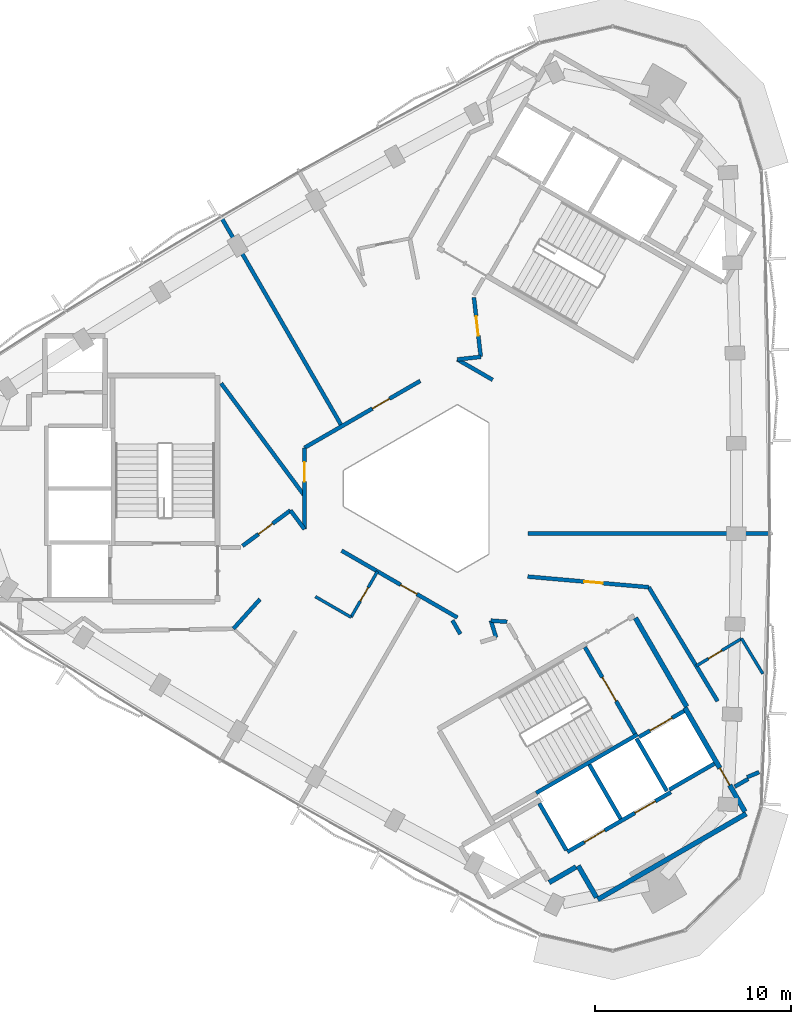
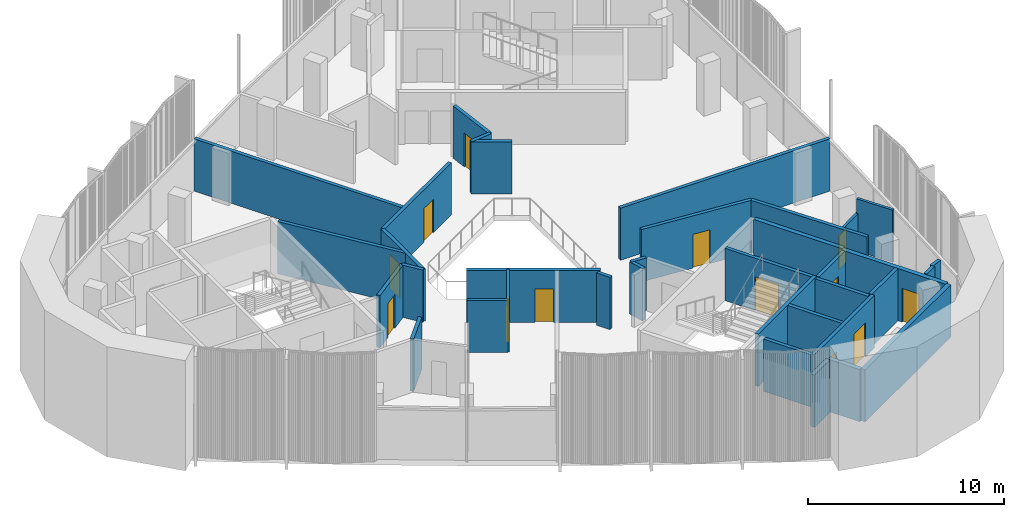
# One storey, part 7 of 13: 36 walls, 13 doors, 13 openings.
"""IFC4 building model written with IfcOpenShell, lengths in metres."""

from ifc_helpers import new_model, si_unit, direction, frame, frame_2d, origin, place, context, subcontext, project, spatial, rectangle, extrude, material, layer, layer_set, type_object, element, fill, save


model = new_model("IFC4")

# Units and contexts
model_context = context("Model", 3, precision=1e-05, world=origin(), true_north=direction((0.0, 1.0)))
body_context = subcontext(model_context, "Body", "Model", "MODEL_VIEW")
ifc_project = project(units=[si_unit("LENGTHUNIT", "METRE"), si_unit("AREAUNIT", "SQUARE_METRE"), si_unit("VOLUMEUNIT", "CUBIC_METRE"), si_unit("PLANEANGLEUNIT", "RADIAN"), si_unit("MASSUNIT", "GRAM", prefix="KILO")], contexts=[model_context])

# Site, building, storey
site_placement = place(None, origin())
site = spatial("IfcSite", under=ifc_project, at=site_placement, CompositionType="ELEMENT")
building_placement = place(site_placement, origin())
building = spatial("IfcBuilding", under=site, at=building_placement, Name="Tamra Quay Hotel Tower", CompositionType="ELEMENT")
storey_placement = place(building_placement, frame((0.0, 0.0, 291.0)))
storey = spatial("IfcBuildingStorey", under=building, at=storey_placement, Name="L73", CompositionType="ELEMENT", Elevation=291.0)

# Wall
ifc_material_1 = material(Name="Concrete M70", Category="concrete")
ifc_layer_1 = layer(ifc_material_1, 0.199951171875)
ifc_layer_set_1 = layer_set([ifc_layer_1], Name="Concrete M70 core wall 200")
wall_type_1 = type_object("IfcWallType", Name="Concrete M70 core wall 200", PredefinedType="SHEAR", material=ifc_layer_set_1)
wall_1_placement = place(storey_placement, frame((5.4189453125, -15.533935546875, 0.0), z_axis=(0.0, 0.0, 1.0), x_axis=(0.866029065029, 0.499993658486, 0.0)))
element("IfcWall", 1, at=wall_1_placement, inside=storey, type_object=wall_type_1, Name="CW2", PredefinedType="SHEAR", context=body_context, shape_type="SweptSolid", body=[
    extrude(rectangle(XDim=5.97412109375, YDim=0.199951171875, at=frame_2d((2.987060546875, 0.0))), origin(), (0.0, 0.0, 1.0), 3.25),
])

# Wall, openings, doors
wall_2_placement = place(storey_placement, frame((7.009765625, -18.54150390625, 0.0), z_axis=(0.0, 0.0, 1.0), x_axis=(0.866030299012, 0.499991521122, 0.0)))
wall_2 = element("IfcWall", 2, at=wall_2_placement, inside=storey, type_object=wall_type_1, Name="CW2", PredefinedType="SHEAR", context=body_context, shape_type="SweptSolid", body=[
    extrude(rectangle(XDim=6.10009765625, YDim=0.199951171875, at=frame_2d((3.050048828125, 0.0))), origin(), (0.0, 0.0, 1.0), 3.25),
])
opening_1_placement = place(wall_2_placement, frame((1.0, 0.0, 0.0)))
opening_1 = element("IfcOpeningElement", 3, at=opening_1_placement, cuts=wall_2, Name="Opening LD", PredefinedType="OPENING", context=body_context, shape_type="SweptSolid", body=[
    extrude(rectangle(XDim=1.199951171875, YDim=2.10009765625, at=frame_2d((0.60009765625, 1.050048828125))), frame((0.0, 0.10986328125, 0.0), z_axis=(0.0, -1.0, 0.0), x_axis=(1.0, 0.0, 0.0)), (0.0, 0.0, 1.0), 0.219970703125),
])
opening_2_placement = place(wall_2_placement, frame((3.982177734375, 0.0, 0.0)))
opening_2 = element("IfcOpeningElement", 4, at=opening_2_placement, cuts=wall_2, Name="Opening LD", PredefinedType="OPENING", context=body_context, shape_type="SweptSolid", body=[
    extrude(rectangle(XDim=1.199951171875, YDim=2.10009765625, at=frame_2d((0.60009765625, 1.050048828125))), frame((0.0, 0.10986328125, 0.0), z_axis=(0.0, -1.0, 0.0), x_axis=(1.0, 0.0, 0.0)), (0.0, 0.0, 1.0), 0.219970703125),
])
ifc_material_2 = material(Name="Landing door LD 1200 double door sliding")
door_type_1 = type_object("IfcDoorType", Name="Landing door LD 1200 double door sliding", OperationType="DOUBLE_DOOR_SLIDING", PredefinedType="DOOR", material=ifc_material_2)
door_1_placement = place(opening_1_placement, origin())
door_1 = element("IfcDoor", 5, at=door_1_placement, inside=storey, type_object=door_type_1, Name="LD", OperationType="DOUBLE_DOOR_SLIDING", OverallHeight=2.10009765625, OverallWidth=1.199951171875, PredefinedType="DOOR", context=body_context, shape_type="SweptSolid", body=[
    extrude(rectangle(XDim=1.199951171875, YDim=2.10009765625, at=frame_2d((0.60009765625, 1.050048828125))), frame((0.0, 0.02490234375, 0.0), z_axis=(0.0, -1.0, 0.0), x_axis=(1.0, 0.0, 0.0)), (0.0, 0.0, 1.0), 0.050048828125),
])
fill(opening_1, door_1)
door_2_placement = place(opening_2_placement, origin())
door_2 = element("IfcDoor", 6, at=door_2_placement, inside=storey, type_object=door_type_1, Name="LD", OperationType="DOUBLE_DOOR_SLIDING", OverallHeight=2.10009765625, OverallWidth=1.199951171875, PredefinedType="DOOR", context=body_context, shape_type="SweptSolid", body=[
    extrude(rectangle(XDim=1.199951171875, YDim=2.10009765625, at=frame_2d((0.60009765625, 1.050048828125))), frame((0.0, 0.02490234375, 0.0), z_axis=(0.0, -1.0, 0.0), x_axis=(1.0, 0.0, 0.0)), (0.0, 0.0, 1.0), 0.050048828125),
])
fill(opening_2, door_2)

# Wall, opening, door
wall_3_placement = place(storey_placement, frame((7.906494140625, -8.094482421875, 0.0), z_axis=(0.0, 0.0, 1.0), x_axis=(0.500027839223, -0.866009330205, 0.0)))
wall_3 = element("IfcWall", 7, at=wall_3_placement, inside=storey, type_object=wall_type_1, Name="CW2", PredefinedType="SHEAR", context=body_context, shape_type="SweptSolid", body=[
    extrude(rectangle(XDim=5.097900390625, YDim=0.199951171875, at=frame_2d((2.548828125, 0.0))), origin(), (0.0, 0.0, 1.0), 3.25),
])
opening_3_placement = place(wall_3_placement, frame((1.77392578125, 0.0, 0.0)))
opening_3 = element("IfcOpeningElement", 8, at=opening_3_placement, cuts=wall_3, Name="Opening FD2", PredefinedType="OPENING", context=body_context, shape_type="SweptSolid", body=[
    extrude(rectangle(XDim=1.39990234375, YDim=2.10009765625, at=frame_2d((0.699951171875, 1.050048828125))), frame((0.0, 0.10986328125, 0.0), z_axis=(0.0, -1.0, 0.0), x_axis=(1.0, 0.0, 0.0)), (0.0, 0.0, 1.0), 0.219970703125),
])
ifc_material_3 = material(Name="Core door FD2 1400x2100 RH")
door_type_2 = type_object("IfcDoorType", Name="Core door FD2 1400x2100 RH", OperationType="NOTDEFINED", PredefinedType="DOOR", material=ifc_material_3)
door_3_placement = place(opening_3_placement, origin())
door_3 = element("IfcDoor", 9, at=door_3_placement, inside=storey, type_object=door_type_2, Name="FD2", OperationType="SINGLE_SWING_RIGHT", OverallHeight=2.10009765625, OverallWidth=1.39990234375, PredefinedType="DOOR", context=body_context, shape_type="SweptSolid", body=[
    extrude(rectangle(XDim=1.39990234375, YDim=2.10009765625, at=frame_2d((0.699951171875, 1.050048828125))), frame((0.0, 0.02490234375, 0.0), z_axis=(0.0, -1.0, 0.0), x_axis=(1.0, 0.0, 0.0)), (0.0, 0.0, 1.0), 0.050048828125),
])
fill(opening_3, door_3)

# Walls
wall_4_placement = place(storey_placement, frame((8.131591796875, -14.084228515625, 0.0), z_axis=(0.0, 0.0, 1.0), x_axis=(0.499997778408, -0.866026686418, 0.0)))
element("IfcWall", 10, at=wall_4_placement, inside=storey, type_object=wall_type_1, Name="CW2", PredefinedType="SHEAR", context=body_context, shape_type="SweptSolid", body=[
    extrude(rectangle(XDim=3.1982421875, YDim=0.199951171875, at=frame_2d((1.59912109375, 0.0))), origin(), (0.0, 0.0, 1.0), 3.25),
])
wall_5_placement = place(storey_placement, frame((6.959716796875, -18.455078125, 0.0), z_axis=(0.0, 0.0, 1.0), x_axis=(-0.499926705758, 0.866067716099, 0.0)))
element("IfcWall", 11, at=wall_5_placement, inside=storey, type_object=wall_type_1, Name="CW2", PredefinedType="SHEAR", context=body_context, shape_type="SweptSolid", body=[
    extrude(rectangle(XDim=2.75927734375, YDim=0.199951171875, at=frame_2d((1.379638671875, 0.0))), origin(), (0.0, 0.0, 1.0), 3.25),
])
wall_6_placement = place(storey_placement, frame((12.087646484375, -15.4365234375, 0.0), z_axis=(0.0, 0.0, 1.0), x_axis=(-0.500026960575, 0.86600983753, 0.0)))
element("IfcWall", 12, at=wall_6_placement, inside=storey, type_object=wall_type_1, Name="CW2", PredefinedType="SHEAR", context=body_context, shape_type="SweptSolid", body=[
    extrude(rectangle(XDim=3.099853515625, YDim=0.199951171875, at=frame_2d((1.5498046875, 0.0))), origin(), (0.0, 0.0, 1.0), 3.25),
])

# Wall, opening, door
wall_7_placement = place(storey_placement, frame((10.666015625, -12.677734375, 0.0), z_axis=(0.0, 0.0, 1.0), x_axis=(0.866018407898, 0.500012117035, 0.0)))
wall_7 = element("IfcWall", 13, at=wall_7_placement, inside=storey, type_object=wall_type_1, Name="CW2", PredefinedType="SHEAR", context=body_context, shape_type="SweptSolid", body=[
    extrude(rectangle(XDim=2.65087890625, YDim=0.199951171875, at=frame_2d((1.325439453125, 0.0))), origin(), (0.0, 0.0, 1.0), 3.25),
])
opening_4_placement = place(wall_7_placement, frame((0.65185546875, 0.0, 0.0)))
opening_4 = element("IfcOpeningElement", 14, at=opening_4_placement, cuts=wall_7, Name="Opening LD", PredefinedType="OPENING", context=body_context, shape_type="SweptSolid", body=[
    extrude(rectangle(XDim=1.300048828125, YDim=2.10009765625, at=frame_2d((0.64990234375, 1.050048828125))), frame((0.0, 0.10986328125, 0.0), z_axis=(0.0, -1.0, 0.0), x_axis=(1.0, 0.0, 0.0)), (0.0, 0.0, 1.0), 0.219970703125),
])
ifc_material_4 = material(Name="Landing door LD 1300 sliding to right")
door_type_3 = type_object("IfcDoorType", Name="Landing door LD 1300 sliding to right", OperationType="NOTDEFINED", PredefinedType="DOOR", material=ifc_material_4)
door_4_placement = place(opening_4_placement, origin())
door_4 = element("IfcDoor", 15, at=door_4_placement, inside=storey, type_object=door_type_3, Name="LD", OperationType="SLIDING_TO_RIGHT", OverallHeight=2.10009765625, OverallWidth=1.300048828125, PredefinedType="DOOR", context=body_context, shape_type="SweptSolid", body=[
    extrude(rectangle(XDim=1.300048828125, YDim=2.10009765625, at=frame_2d((0.64990234375, 1.050048828125))), frame((0.0, 0.02490234375, 0.0), z_axis=(0.0, -1.0, 0.0), x_axis=(1.0, 0.0, 0.0)), (0.0, 0.0, 1.0), 0.050048828125),
])
fill(opening_4, door_4)

# Walls
wall_8_placement = place(storey_placement, frame((14.51171875, -14.037109375, 0.0), z_axis=(0.0, 0.0, 1.0), x_axis=(-0.866018407898, -0.500012117035, 0.0)))
element("IfcWall", 16, at=wall_8_placement, inside=storey, type_object=wall_type_1, Name="CW2", PredefinedType="SHEAR", context=body_context, shape_type="SweptSolid", body=[
    extrude(rectangle(XDim=2.65087890625, YDim=0.199951171875, at=frame_2d((1.325439453125, 0.0))), origin(), (0.0, 0.0, 1.0), 3.25),
])
ifc_layer_2 = layer(ifc_material_1, 0.25)
ifc_layer_set_2 = layer_set([ifc_layer_2], Name="Concrete M70 core wall 250")
wall_type_2 = type_object("IfcWallType", Name="Concrete M70 core wall 250", PredefinedType="SHEAR", material=ifc_layer_set_2)
wall_9_placement = place(storey_placement, frame((16.13330078125, -16.59375, 0.0), z_axis=(0.0, 0.0, 1.0), x_axis=(-0.866022959057, -0.500004234368, 0.0)))
element("IfcWall", 17, at=wall_9_placement, inside=storey, type_object=wall_type_2, Name="CW1", PredefinedType="SHEAR", context=body_context, shape_type="SweptSolid", body=[
    extrude(rectangle(XDim=8.75, YDim=0.25, at=frame_2d((4.375, 0.0))), origin(), (0.0, 0.0, 1.0), 3.25),
])

# Wall, opening, door
wall_10_placement = place(storey_placement, frame((13.00830078125, -11.18115234375, 0.0), z_axis=(0.0, 0.0, 1.0), x_axis=(0.500001955336, -0.866024274868, 0.0)))
wall_10 = element("IfcWall", 18, at=wall_10_placement, inside=storey, type_object=wall_type_2, Name="CW1", PredefinedType="SHEAR", context=body_context, shape_type="SweptSolid", body=[
    extrude(rectangle(XDim=6.12451171875, YDim=0.25, at=frame_2d((3.062255859375, 0.0))), origin(), (0.0, 0.0, 1.0), 3.25),
])
opening_5_placement = place(wall_10_placement, frame((3.562744140625, 0.0, 0.0)))
opening_5 = element("IfcOpeningElement", 19, at=opening_5_placement, cuts=wall_10, Name="Opening FD3", PredefinedType="OPENING", context=body_context, shape_type="SweptSolid", body=[
    extrude(rectangle(XDim=1.0, YDim=2.10009765625, at=frame_2d((0.5, 1.050048828125))), frame((0.0, 0.135009765625, 0.0), z_axis=(0.0, -1.0, 0.0), x_axis=(1.0, 0.0, 0.0)), (0.0, 0.0, 1.0), 0.27001953125),
])
ifc_material_5 = material(Name="Core door FD3 1000x2100 LH")
door_type_4 = type_object("IfcDoorType", Name="Core door FD3 1000x2100 LH", OperationType="NOTDEFINED", PredefinedType="DOOR", material=ifc_material_5)
door_5_placement = place(opening_5_placement, origin())
door_5 = element("IfcDoor", 20, at=door_5_placement, inside=storey, type_object=door_type_4, Name="FD3", OperationType="SINGLE_SWING_LEFT", OverallHeight=2.10009765625, OverallWidth=1.0, PredefinedType="DOOR", context=body_context, shape_type="SweptSolid", body=[
    extrude(rectangle(XDim=1.0, YDim=2.10009765625, at=frame_2d((0.5, 1.050048828125))), frame((0.0, 0.02490234375, 0.0), z_axis=(0.0, -1.0, 0.0), x_axis=(1.0, 0.0, 0.0)), (0.0, 0.0, 1.0), 0.050048828125),
])
fill(opening_5, door_5)

# Walls
wall_11_placement = place(storey_placement, frame((10.482666015625, -6.6064453125, 0.0), z_axis=(0.0, 0.0, 1.0), x_axis=(0.49999885962, -0.866026062182, 0.0)))
element("IfcWall", 21, at=wall_11_placement, inside=storey, type_object=wall_type_2, Name="CW1", PredefinedType="SHEAR", context=body_context, shape_type="SweptSolid", body=[
    extrude(rectangle(XDim=5.224609375, YDim=0.25, at=frame_2d((2.6123046875, 0.0))), origin(), (0.0, 0.0, 1.0), 3.25),
])
wall_12_placement = place(storey_placement, frame((8.492919921875, -20.860107421875, 0.0), z_axis=(0.0, 0.0, 1.0), x_axis=(-0.500039802285, 0.866002422705, 0.0)))
element("IfcWall", 22, at=wall_12_placement, inside=storey, type_object=wall_type_2, Name="CW1", PredefinedType="SHEAR", context=body_context, shape_type="SweptSolid", body=[
    extrude(rectangle(XDim=1.864501953125, YDim=0.25, at=frame_2d((0.93212890625, 0.0))), origin(), (0.0, 0.0, 1.0), 3.25),
])
wall_13_placement = place(storey_placement, frame((7.451904296875, -19.30810546875, 0.0), z_axis=(0.0, 0.0, 1.0), x_axis=(-0.866044474677, -0.49996696679, 0.0)))
element("IfcWall", 23, at=wall_13_placement, inside=storey, type_object=wall_type_2, Name="CW1", PredefinedType="SHEAR", context=body_context, shape_type="SweptSolid", body=[
    extrude(rectangle(XDim=1.58447265625, YDim=0.25, at=frame_2d((0.792236328125, 0.0))), origin(), (0.0, 0.0, 1.0), 3.25),
])
ifc_material_6 = material(Name="Partition corridor wall")
ifc_layer_3 = layer(ifc_material_6, 0.199951171875)
ifc_layer_set_3 = layer_set([ifc_layer_3], Name="Partition corridor wall")
wall_type_3 = type_object("IfcWallType", Name="Partition corridor wall", PredefinedType="PARTITIONING", material=ifc_layer_set_3)
wall_14_placement = place(storey_placement, frame((-10.02294921875, -7.15087890625, 0.0), z_axis=(0.0, 0.0, 1.0), x_axis=(0.668804583793, 0.743438248073, 0.0)))
element("IfcWall", 24, at=wall_14_placement, inside=storey, type_object=wall_type_3, Name="W-C", PredefinedType="PARTITIONING", context=body_context, shape_type="SweptSolid", body=[
    extrude(rectangle(XDim=2.021484375, YDim=0.199951171875, at=frame_2d((1.0107421875, 0.0))), origin(), (0.0, 0.0, 1.0), 3.25),
])

# Wall, opening, door
wall_15_placement = place(storey_placement, frame((-7.114990234375, -1.114990234375, 0.0), z_axis=(0.0, 0.0, 1.0), x_axis=(-0.803344165632, -0.595515030495, 0.0)))
wall_15 = element("IfcWall", 25, at=wall_15_placement, inside=storey, type_object=wall_type_3, Name="W-C", PredefinedType="PARTITIONING", context=body_context, shape_type="SweptSolid", body=[
    extrude(rectangle(XDim=3.046142578125, YDim=0.199951171875, at=frame_2d((1.52294921875, 0.0))), origin(), (0.0, 0.0, 1.0), 3.25),
])
opening_6_placement = place(wall_15_placement, frame((1.1328125, 0.0, 0.0)))
opening_6 = element("IfcOpeningElement", 26, at=opening_6_placement, cuts=wall_15, Name="Opening L73-D008", PredefinedType="OPENING", context=body_context, shape_type="SweptSolid", body=[
    extrude(rectangle(XDim=0.89990234375, YDim=2.10009765625, at=frame_2d((0.449951171875, 1.050048828125))), frame((0.0, 0.10986328125, 0.0), z_axis=(0.0, -1.0, 0.0), x_axis=(1.0, 0.0, 0.0)), (0.0, 0.0, 1.0), 0.219970703125),
])
ifc_material_7 = material(Name="Door service room 900x2100")
door_type_5 = type_object("IfcDoorType", Name="Door service room 900x2100", OperationType="NOTDEFINED", PredefinedType="DOOR", material=ifc_material_7)
door_6_placement = place(opening_6_placement, origin())
door_6 = element("IfcDoor", 27, at=door_6_placement, inside=storey, type_object=door_type_5, Name="L73-D008", OperationType="SINGLE_SWING_LEFT", OverallHeight=2.10009765625, OverallWidth=0.89990234375, PredefinedType="DOOR", context=body_context, shape_type="SweptSolid", body=[
    extrude(rectangle(XDim=0.89990234375, YDim=2.10009765625, at=frame_2d((0.449951171875, 1.050048828125))), frame((0.0, 0.02490234375, 0.0), z_axis=(0.0, -1.0, 0.0), x_axis=(1.0, 0.0, 0.0)), (0.0, 0.0, 1.0), 0.050048828125),
])
fill(opening_6, door_6)

# Wall
wall_16_placement = place(storey_placement, frame((-7.114013671875, -1.114990234375, 0.0), z_axis=(0.0, 0.0, 1.0), x_axis=(0.595690139668, -0.803214328496, 0.0)))
element("IfcWall", 28, at=wall_16_placement, inside=storey, type_object=wall_type_3, Name="W-C", PredefinedType="PARTITIONING", context=body_context, shape_type="SweptSolid", body=[
    extrude(rectangle(XDim=1.19873046875, YDim=0.199951171875, at=frame_2d((0.599365234375, 0.0))), origin(), (0.0, 0.0, 1.0), 3.25),
])

# Wall, opening, door
wall_17_placement = place(storey_placement, frame((-6.39990234375, 2.0791015625, 0.0), z_axis=(0.0, 0.0, 1.0), x_axis=(0.866037708501, 0.499978687001, 0.0)))
wall_17 = element("IfcWall", 29, at=wall_17_placement, inside=storey, type_object=wall_type_3, Name="W-C", PredefinedType="PARTITIONING", context=body_context, shape_type="SweptSolid", body=[
    extrude(rectangle(XDim=6.818115234375, YDim=0.199951171875, at=frame_2d((3.4091796875, 0.0))), origin(), (0.0, 0.0, 1.0), 3.25),
])
opening_7_placement = place(wall_17_placement, frame((4.003173828125, 0.0, 0.0)))
opening_7 = element("IfcOpeningElement", 30, at=opening_7_placement, cuts=wall_17, Name="Opening L73-D006", PredefinedType="OPENING", context=body_context, shape_type="SweptSolid", body=[
    extrude(rectangle(XDim=1.0, YDim=2.10009765625, at=frame_2d((0.5, 1.050048828125))), frame((0.0, 0.10986328125, 0.0), z_axis=(0.0, -1.0, 0.0), x_axis=(1.0, 0.0, 0.0)), (0.0, 0.0, 1.0), 0.219970703125),
])
ifc_material_8 = material(Name="Door guest room 1000x2100")
door_type_6 = type_object("IfcDoorType", Name="Door guest room 1000x2100", OperationType="NOTDEFINED", PredefinedType="DOOR", material=ifc_material_8)
door_7_placement = place(opening_7_placement, origin())
door_7 = element("IfcDoor", 31, at=door_7_placement, inside=storey, type_object=door_type_6, Name="L73-D006", OperationType="SINGLE_SWING_LEFT", OverallHeight=2.10009765625, OverallWidth=1.0, PredefinedType="DOOR", context=body_context, shape_type="SweptSolid", body=[
    extrude(rectangle(XDim=1.0, YDim=2.10009765625, at=frame_2d((0.5, 1.050048828125))), frame((0.0, 0.02490234375, 0.0), z_axis=(0.0, -1.0, 0.0), x_axis=(1.0, 0.0, 0.0)), (0.0, 0.0, 1.0), 0.050048828125),
])
fill(opening_7, door_7)

wall_18_placement = place(storey_placement, frame((-6.39990234375, -2.077880859375, 0.0), z_axis=(0.0, 0.0, 1.0), x_axis=(0.0, 1.0, 0.0)))
wall_18 = element("IfcWall", 32, at=wall_18_placement, inside=storey, type_object=wall_type_3, Name="W-C", PredefinedType="PARTITIONING", context=body_context, shape_type="SweptSolid", body=[
    extrude(rectangle(XDim=4.156982421875, YDim=0.199951171875, at=frame_2d((2.07861328125, 0.0))), origin(), (0.0, 0.0, 1.0), 3.25),
])
opening_8_placement = place(wall_18_placement, frame((2.426025390625, 0.0, 0.0)))
opening_8 = element("IfcOpeningElement", 33, at=opening_8_placement, cuts=wall_18, Name="Opening L73-D007", PredefinedType="OPENING", context=body_context, shape_type="SweptSolid", body=[
    extrude(rectangle(XDim=1.0, YDim=2.10009765625, at=frame_2d((0.5, 1.050048828125))), frame((0.0, 0.10986328125, 0.0), z_axis=(0.0, -1.0, 0.0), x_axis=(1.0, 0.0, 0.0)), (0.0, 0.0, 1.0), 0.219970703125),
])
door_8_placement = place(opening_8_placement, origin())
door_8 = element("IfcDoor", 34, at=door_8_placement, inside=storey, type_object=door_type_6, Name="L73-D007", OperationType="SINGLE_SWING_LEFT", OverallHeight=2.10009765625, OverallWidth=1.0, PredefinedType="DOOR", context=body_context, shape_type="SweptSolid", body=[
    extrude(rectangle(XDim=1.0, YDim=2.10009765625, at=frame_2d((0.5, 1.050048828125))), frame((0.0, 0.02490234375, 0.0), z_axis=(0.0, -1.0, 0.0), x_axis=(1.0, 0.0, 0.0)), (0.0, 0.0, 1.0), 0.050048828125),
])
fill(opening_8, door_8)

wall_19_placement = place(storey_placement, frame((-4.504638671875, -3.171142578125, 0.0), z_axis=(0.0, 0.0, 1.0), x_axis=(0.865849219471, -0.500305036094, 0.0)))
wall_19 = element("IfcWall", 35, at=wall_19_placement, inside=storey, type_object=wall_type_3, Name="W-C", PredefinedType="PARTITIONING", context=body_context, shape_type="SweptSolid", body=[
    extrude(rectangle(XDim=6.819091796875, YDim=0.199951171875, at=frame_2d((3.40966796875, 0.0))), origin(), (0.0, 0.0, 1.0), 3.25),
])
opening_9_placement = place(wall_19_placement, frame((3.480712890625, 0.0, 0.0)))
opening_9 = element("IfcOpeningElement", 36, at=opening_9_placement, cuts=wall_19, Name="Opening L73-D011", PredefinedType="OPENING", context=body_context, shape_type="SweptSolid", body=[
    extrude(rectangle(XDim=0.949951171875, YDim=2.10009765625, at=frame_2d((0.47509765625, 1.050048828125))), frame((0.0, 0.10986328125, 0.0), z_axis=(0.0, -1.0, 0.0), x_axis=(1.0, 0.0, 0.0)), (0.0, 0.0, 1.0), 0.219970703125),
])
ifc_material_9 = material(Name="Door guest room 950x2100")
door_type_7 = type_object("IfcDoorType", Name="Door guest room 950x2100", OperationType="NOTDEFINED", PredefinedType="DOOR", material=ifc_material_9)
door_9_placement = place(opening_9_placement, frame((0.949951171875, 0.0, 0.0), z_axis=(0.0, 0.0, 1.0), x_axis=(-1.0, 0.0, 0.0)))
door_9 = element("IfcDoor", 37, at=door_9_placement, inside=storey, type_object=door_type_7, Name="L73-D011", OperationType="SINGLE_SWING_LEFT", OverallHeight=2.10009765625, OverallWidth=0.949951171875, PredefinedType="DOOR", context=body_context, shape_type="SweptSolid", body=[
    extrude(rectangle(XDim=0.949951171875, YDim=2.10009765625, at=frame_2d((0.47509765625, 1.050048828125))), frame((0.0, 0.02490234375, 0.0), z_axis=(0.0, -1.0, 0.0), x_axis=(1.0, 0.0, 0.0)), (0.0, 0.0, 1.0), 0.050048828125),
])
fill(opening_9, door_9)

# Walls
wall_20_placement = place(storey_placement, frame((1.14697265625, -6.72802734375, 0.0), z_axis=(0.0, 0.0, 1.0), x_axis=(0.500080775649, -0.865978762919, 0.0)))
element("IfcWall", 38, at=wall_20_placement, inside=storey, type_object=wall_type_3, Name="W-C", PredefinedType="PARTITIONING", context=body_context, shape_type="SweptSolid", body=[
    extrude(rectangle(XDim=0.805908203125, YDim=0.199951171875, at=frame_2d((0.40283203125, 0.0))), origin(), (0.0, 0.0, 1.0), 3.25),
])
wall_21_placement = place(storey_placement, frame((1.39990234375, 6.58203125, 0.0), z_axis=(0.0, 0.0, 1.0), x_axis=(0.993556915844, 0.11333426216, 0.0)))
element("IfcWall", 39, at=wall_21_placement, inside=storey, type_object=wall_type_3, Name="W-C", PredefinedType="PARTITIONING", context=body_context, shape_type="SweptSolid", body=[
    extrude(rectangle(XDim=1.199951171875, YDim=0.199951171875, at=frame_2d((0.60009765625, 0.0))), origin(), (0.0, 0.0, 1.0), 3.25),
])
wall_22_placement = place(storey_placement, frame((1.39990234375, 6.58203125, 0.0), z_axis=(0.0, 0.0, 1.0), x_axis=(0.866066271601, -0.499929208183, 0.0)))
element("IfcWall", 40, at=wall_22_placement, inside=storey, type_object=wall_type_3, Name="W-C", PredefinedType="PARTITIONING", context=body_context, shape_type="SweptSolid", body=[
    extrude(rectangle(XDim=2.078369140625, YDim=0.199951171875, at=frame_2d((1.0390625, 0.0))), origin(), (0.0, 0.0, 1.0), 3.25),
])

# Wall, opening, door
wall_23_placement = place(storey_placement, frame((2.592041015625, 6.718994140625, 0.0), z_axis=(0.0, 0.0, 1.0), x_axis=(-0.114027951455, 0.993477541914, 0.0)))
wall_23 = element("IfcWall", 41, at=wall_23_placement, inside=storey, type_object=wall_type_3, Name="W-C", PredefinedType="PARTITIONING", context=body_context, shape_type="SweptSolid", body=[
    extrude(rectangle(XDim=3.046630859375, YDim=0.199951171875, at=frame_2d((1.5234375, 0.0))), origin(), (0.0, 0.0, 1.0), 3.25),
])
opening_10_placement = place(wall_23_placement, frame((1.082763671875, 0.0, 0.0)))
opening_10 = element("IfcOpeningElement", 42, at=opening_10_placement, cuts=wall_23, Name="Opening L73-D003", PredefinedType="OPENING", context=body_context, shape_type="SweptSolid", body=[
    extrude(rectangle(XDim=1.0, YDim=2.10009765625, at=frame_2d((0.5, 1.050048828125))), frame((0.0, 0.10986328125, 0.0), z_axis=(0.0, -1.0, 0.0), x_axis=(1.0, 0.0, 0.0)), (0.0, 0.0, 1.0), 0.219970703125),
])
door_10_placement = place(opening_10_placement, origin())
door_10 = element("IfcDoor", 43, at=door_10_placement, inside=storey, type_object=door_type_6, Name="L73-D003", OperationType="SINGLE_SWING_LEFT", OverallHeight=2.10009765625, OverallWidth=1.0, PredefinedType="DOOR", context=body_context, shape_type="SweptSolid", body=[
    extrude(rectangle(XDim=1.0, YDim=2.10009765625, at=frame_2d((0.5, 1.050048828125))), frame((0.0, 0.02490234375, 0.0), z_axis=(0.0, -1.0, 0.0), x_axis=(1.0, 0.0, 0.0)), (0.0, 0.0, 1.0), 0.050048828125),
])
fill(opening_10, door_10)

# Walls
wall_24_placement = place(storey_placement, frame((3.110107421875, -6.739013671875, 0.0), z_axis=(0.0, 0.0, 1.0), x_axis=(0.291053676179, -0.95670672496, 0.0)))
element("IfcWall", 44, at=wall_24_placement, inside=storey, type_object=wall_type_3, Name="W-C", PredefinedType="PARTITIONING", context=body_context, shape_type="SweptSolid", body=[
    extrude(rectangle(XDim=0.900146484375, YDim=0.199951171875, at=frame_2d((0.4501953125, 0.0))), origin(), (0.0, 0.0, 1.0), 3.25),
])
wall_25_placement = place(storey_placement, frame((3.110107421875, -6.739013671875, 0.0), z_axis=(0.0, 0.0, 1.0), x_axis=(0.997306047238, -0.073352901386, 0.0)))
element("IfcWall", 45, at=wall_25_placement, inside=storey, type_object=wall_type_3, Name="W-C", PredefinedType="PARTITIONING", context=body_context, shape_type="SweptSolid", body=[
    extrude(rectangle(XDim=0.83203125, YDim=0.199951171875, at=frame_2d((0.416015625, 0.0))), origin(), (0.0, 0.0, 1.0), 3.25),
])

# Wall, opening, door
wall_26_placement = place(storey_placement, frame((4.988037109375, -4.4951171875, 0.0), z_axis=(0.0, 0.0, 1.0), x_axis=(0.996187344936, -0.087239748904, 0.0)))
wall_26 = element("IfcWall", 46, at=wall_26_placement, inside=storey, type_object=wall_type_3, Name="W-C", PredefinedType="PARTITIONING", context=body_context, shape_type="SweptSolid", body=[
    extrude(rectangle(XDim=6.19873046875, YDim=0.199951171875, at=frame_2d((3.099365234375, 0.0))), origin(), (0.0, 0.0, 1.0), 3.25),
])
opening_11_placement = place(wall_26_placement, frame((2.898681640625, 0.0, 0.0)))
opening_11 = element("IfcOpeningElement", 47, at=opening_11_placement, cuts=wall_26, Name="Opening L73-D001", PredefinedType="OPENING", context=body_context, shape_type="SweptSolid", body=[
    extrude(rectangle(XDim=0.949951171875, YDim=2.10009765625, at=frame_2d((0.47509765625, 1.050048828125))), frame((0.0, 0.10986328125, 0.0), z_axis=(0.0, -1.0, 0.0), x_axis=(1.0, 0.0, 0.0)), (0.0, 0.0, 1.0), 0.219970703125),
])
door_11_placement = place(opening_11_placement, frame((0.949951171875, 0.0, 0.0), z_axis=(0.0, 0.0, 1.0), x_axis=(-1.0, 0.0, 0.0)))
door_11 = element("IfcDoor", 48, at=door_11_placement, inside=storey, type_object=door_type_7, Name="L73-D001", OperationType="SINGLE_SWING_LEFT", OverallHeight=2.10009765625, OverallWidth=0.949951171875, PredefinedType="DOOR", context=body_context, shape_type="SweptSolid", body=[
    extrude(rectangle(XDim=0.949951171875, YDim=2.10009765625, at=frame_2d((0.47509765625, 1.050048828125))), frame((0.0, 0.02490234375, 0.0), z_axis=(0.0, -1.0, 0.0), x_axis=(1.0, 0.0, 0.0)), (0.0, 0.0, 1.0), 0.050048828125),
])
fill(opening_11, door_11)

# Walls
wall_27_placement = place(storey_placement, frame((11.1630859375, -5.035888671875, 0.0), z_axis=(0.0, 0.0, 1.0), x_axis=(0.516730398198, -0.856148173845, 0.0)))
element("IfcWall", 49, at=wall_27_placement, inside=storey, type_object=wall_type_3, Name="W-C", PredefinedType="PARTITIONING", context=body_context, shape_type="SweptSolid", body=[
    extrude(rectangle(XDim=6.790771484375, YDim=0.199951171875, at=frame_2d((3.3955078125, 0.0))), origin(), (0.0, 0.0, 1.0), 3.25),
])
wall_28_placement = place(storey_placement, frame((15.5498046875, -15.213134765625, 0.0), z_axis=(0.0, 0.0, 1.0), x_axis=(0.865989998118, 0.500061319399, 0.0)))
element("IfcWall", 50, at=wall_28_placement, inside=storey, type_object=wall_type_3, Name="W-C", PredefinedType="PARTITIONING", context=body_context, shape_type="SweptSolid", body=[
    extrude(rectangle(XDim=0.7900390625, YDim=0.199951171875, at=frame_2d((0.39501953125, 0.0))), origin(), (0.0, 0.0, 1.0), 3.25),
])
wall_29_placement = place(storey_placement, frame((16.181884765625, -14.72802734375, 0.0), z_axis=(0.0, 0.0, 1.0), x_axis=(0.922058491377, 0.387050563207, 0.0)))
element("IfcWall", 51, at=wall_29_placement, inside=storey, type_object=wall_type_3, Name="W-C", PredefinedType="PARTITIONING", context=body_context, shape_type="SweptSolid", body=[
    extrude(rectangle(XDim=0.66162109375, YDim=0.199951171875, at=frame_2d((0.330810546875, 0.0))), origin(), (0.0, 0.0, 1.0), 3.25),
])
ifc_material_10 = material(Name="Partition en-suite wall")
ifc_layer_4 = layer(ifc_material_10, 0.14990234375)
ifc_layer_set_4 = layer_set([ifc_layer_4], Name="Partition en-suite wall")
wall_type_4 = type_object("IfcWallType", Name="Partition en-suite wall", PredefinedType="PARTITIONING", material=ifc_layer_set_4)
wall_30_placement = place(storey_placement, frame((-5.844970703125, -5.51611328125, 0.0), z_axis=(0.0, 0.0, 1.0), x_axis=(0.865972526687, -0.500091574638, 0.0)))
element("IfcWall", 52, at=wall_30_placement, inside=storey, type_object=wall_type_4, Name="W-E", PredefinedType="PARTITIONING", context=body_context, shape_type="SweptSolid", body=[
    extrude(rectangle(XDim=2.09912109375, YDim=0.14990234375, at=frame_2d((1.049560546875, 0.0))), origin(), (0.0, 0.0, 1.0), 3.25),
])

# Wall, opening, door
wall_31_placement = place(storey_placement, frame((-4.027099609375, -6.56591796875, 0.0), z_axis=(0.0, 0.0, 1.0), x_axis=(0.500358939419, 0.865818070812, 0.0)))
wall_31 = element("IfcWall", 53, at=wall_31_placement, inside=storey, type_object=wall_type_4, Name="W-E", PredefinedType="PARTITIONING", context=body_context, shape_type="SweptSolid", body=[
    extrude(rectangle(XDim=2.7001953125, YDim=0.14990234375, at=frame_2d((1.35009765625, 0.0))), origin(), (0.0, 0.0, 1.0), 3.25),
])
opening_12_placement = place(wall_31_placement, frame((0.949951171875, 0.0, 0.0)))
opening_12 = element("IfcOpeningElement", 54, at=opening_12_placement, cuts=wall_31, Name="Opening L73-D012", PredefinedType="OPENING", context=body_context, shape_type="SweptSolid", body=[
    extrude(rectangle(XDim=0.800048828125, YDim=2.10009765625, at=frame_2d((0.39990234375, 1.050048828125))), frame((0.0, 0.0849609375, 0.0), z_axis=(0.0, -1.0, 0.0), x_axis=(1.0, 0.0, 0.0)), (0.0, 0.0, 1.0), 0.169921875),
])
ifc_material_11 = material(Name="Door en-suite 800x2100")
door_type_8 = type_object("IfcDoorType", Name="Door en-suite 800x2100", OperationType="NOTDEFINED", PredefinedType="DOOR", material=ifc_material_11)
door_12_placement = place(opening_12_placement, frame((0.800048828125, 0.0, 0.0), z_axis=(0.0, 0.0, 1.0), x_axis=(-1.0, 0.0, 0.0)))
door_12 = element("IfcDoor", 55, at=door_12_placement, inside=storey, type_object=door_type_8, Name="L73-D012", OperationType="SINGLE_SWING_LEFT", OverallHeight=2.10009765625, OverallWidth=0.800048828125, PredefinedType="DOOR", context=body_context, shape_type="SweptSolid", body=[
    extrude(rectangle(XDim=0.800048828125, YDim=2.10009765625, at=frame_2d((0.39990234375, 1.050048828125))), frame((0.0, 0.02490234375, 0.0), z_axis=(0.0, -1.0, 0.0), x_axis=(1.0, 0.0, 0.0)), (0.0, 0.0, 1.0), 0.050048828125),
])
fill(opening_12, door_12)

wall_32_placement = place(storey_placement, frame((13.5869140625, -9.052001953125, 0.0), z_axis=(0.0, 0.0, 1.0), x_axis=(0.856117294569, 0.516781557275, 0.0)))
wall_32 = element("IfcWall", 56, at=wall_32_placement, inside=storey, type_object=wall_type_4, Name="W-E", PredefinedType="PARTITIONING", context=body_context, shape_type="SweptSolid", body=[
    extrude(rectangle(XDim=2.699462890625, YDim=0.14990234375, at=frame_2d((1.349609375, 0.0))), origin(), (0.0, 0.0, 1.0), 2.35009765625),
])
opening_13_placement = place(wall_32_placement, frame((0.724853515625, 0.0, 0.0)))
opening_13 = element("IfcOpeningElement", 57, at=opening_13_placement, cuts=wall_32, Name="Opening L73-D002", PredefinedType="OPENING", context=body_context, shape_type="SweptSolid", body=[
    extrude(rectangle(XDim=0.800048828125, YDim=2.10009765625, at=frame_2d((0.39990234375, 1.050048828125))), frame((0.0, 0.0849609375, 0.0), z_axis=(0.0, -1.0, 0.0), x_axis=(1.0, 0.0, 0.0)), (0.0, 0.0, 1.0), 0.169921875),
])
door_13_placement = place(opening_13_placement, origin())
door_13 = element("IfcDoor", 58, at=door_13_placement, inside=storey, type_object=door_type_8, Name="L73-D002", OperationType="SINGLE_SWING_LEFT", OverallHeight=2.10009765625, OverallWidth=0.800048828125, PredefinedType="DOOR", context=body_context, shape_type="SweptSolid", body=[
    extrude(rectangle(XDim=0.800048828125, YDim=2.10009765625, at=frame_2d((0.39990234375, 1.050048828125))), frame((0.0, 0.02490234375, 0.0), z_axis=(0.0, -1.0, 0.0), x_axis=(1.0, 0.0, 0.0)), (0.0, 0.0, 1.0), 0.050048828125),
])
fill(opening_13, door_13)

# Walls
wall_33_placement = place(storey_placement, frame((15.89794921875, -7.656982421875, 0.0), z_axis=(0.0, 0.0, 1.0), x_axis=(0.516836936411, -0.856083863393, 0.0)))
element("IfcWall", 59, at=wall_33_placement, inside=storey, type_object=wall_type_4, Name="W-E", PredefinedType="PARTITIONING", context=body_context, shape_type="SweptSolid", body=[
    extrude(rectangle(XDim=2.09912109375, YDim=0.14990234375, at=frame_2d((1.049560546875, 0.0))), origin(), (0.0, 0.0, 1.0), 3.25),
])
ifc_material_12 = material(Name="Partition party wall")
ifc_layer_5 = layer(ifc_material_12, 0.199951171875)
ifc_layer_set_5 = layer_set([ifc_layer_5], Name="Partition party wall")
wall_type_5 = type_object("IfcWallType", Name="Partition party wall", PredefinedType="PARTITIONING", material=ifc_layer_set_5)
wall_34_placement = place(storey_placement, frame((-10.65234375, 5.36376953125, 0.0), z_axis=(0.0, 0.0, 1.0), x_axis=(0.595550732464, -0.803317698711, 0.0)))
element("IfcWall", 60, at=wall_34_placement, inside=storey, type_object=wall_type_5, Name="W-P", PredefinedType="PARTITIONING", context=body_context, shape_type="SweptSolid", body=[
    extrude(rectangle(XDim=7.135009765625, YDim=0.199951171875, at=frame_2d((3.5673828125, 0.0))), origin(), (0.0, 0.0, 1.0), 3.25),
])
wall_35_placement = place(storey_placement, frame((-10.659423828125, 13.855712890625, 0.0), z_axis=(0.0, 0.0, 1.0), x_axis=(0.500004723409, -0.866022676706, 0.0)))
element("IfcWall", 61, at=wall_35_placement, inside=storey, type_object=wall_type_5, Name="W-P", PredefinedType="PARTITIONING", context=body_context, shape_type="SweptSolid", body=[
    extrude(rectangle(XDim=12.32861328125, YDim=0.199951171875, at=frame_2d((6.164306640625, 0.0))), origin(), (0.0, 0.0, 1.0), 3.25),
])
wall_36_placement = place(storey_placement, frame((5.0, -2.303955078125, 0.0), z_axis=(0.0, 0.0, 1.0), x_axis=(1.0, 0.0, 0.0)))
element("IfcWall", 62, at=wall_36_placement, inside=storey, type_object=wall_type_5, Name="W-P", PredefinedType="PARTITIONING", context=body_context, shape_type="SweptSolid", body=[
    extrude(rectangle(XDim=12.3291015625, YDim=0.199951171875, at=frame_2d((6.16455078125, 0.0))), origin(), (0.0, 0.0, 1.0), 3.25),
])

save(model, "model.ifc")
